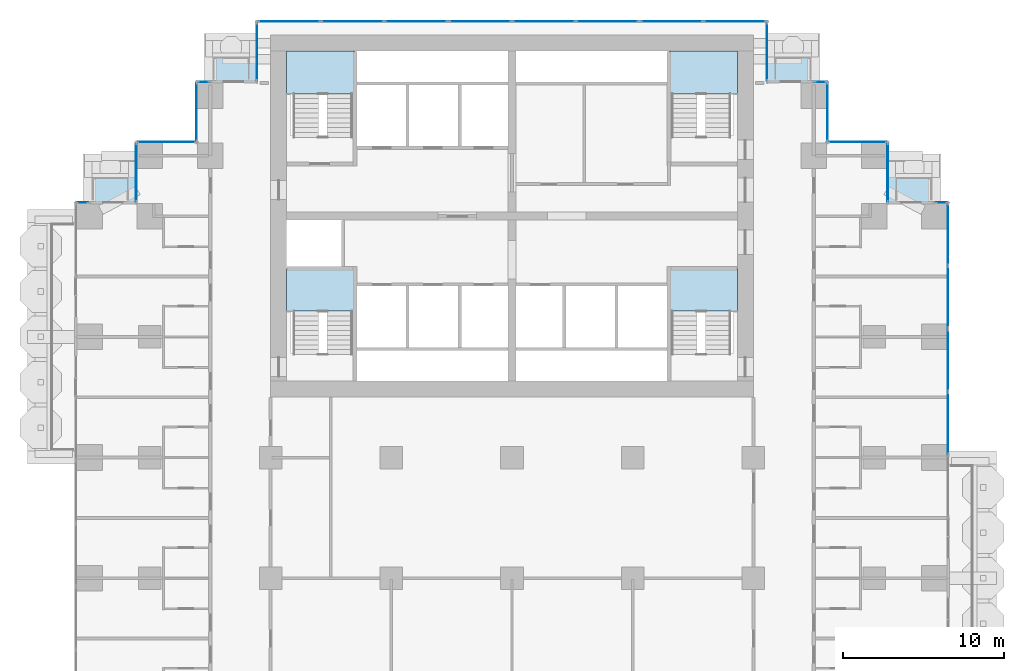
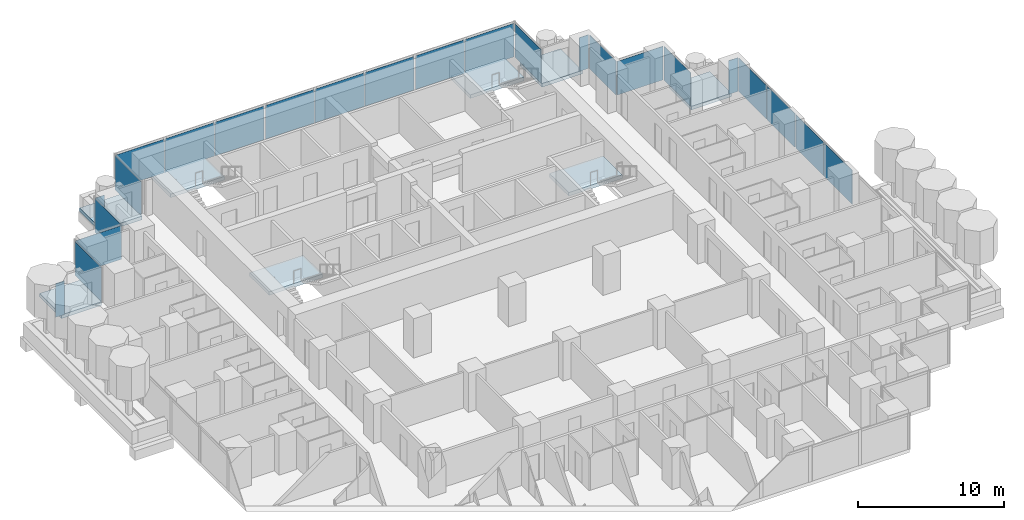
# One storey, part 8 of 18: 24 plates, 8 slabs, 21 elements without a shape of their own.
"""IFC4 building model written with IfcOpenShell, lengths in metres."""

from ifc_helpers import new_model, si_unit, direction, frame, origin, origin_2d, place, context, subcontext, project, spatial, polyline, rectangle, outline, extrude, material, layer, layer_set, type_object, element, aggregate, save


model = new_model("IFC4")

# Units and contexts
model_context = context("Model", 3, precision=1e-05, world=origin(), true_north=direction((0.0, 1.0)))
body_context = subcontext(model_context, "Body", "Model", "MODEL_VIEW")
ifc_project = project(units=[si_unit("LENGTHUNIT", "METRE"), si_unit("AREAUNIT", "SQUARE_METRE"), si_unit("VOLUMEUNIT", "CUBIC_METRE"), si_unit("PLANEANGLEUNIT", "RADIAN"), si_unit("MASSUNIT", "GRAM", prefix="KILO")], contexts=[model_context])

# Site, building, storey
site_placement = place(None, origin())
site = spatial("IfcSite", under=ifc_project, at=site_placement, CompositionType="ELEMENT")
building_placement = place(site_placement, origin())
building = spatial("IfcBuilding", under=site, at=building_placement, Name="Pilkhan Gate Tower", CompositionType="ELEMENT")
storey_placement = place(building_placement, frame((0.0, 0.0, 42.800048828125)))
storey = spatial("IfcBuildingStorey", under=building, at=storey_placement, Name="L07", CompositionType="ELEMENT", Elevation=42.800048828125)

# Slabs
ifc_material_1 = material(Name="Concrete C60/75", Category="concrete")
ifc_layer_1 = layer(ifc_material_1, 0.300048828125)
ifc_layer_set_1 = layer_set([ifc_layer_1], Name="Balcony tray slab TR300")
slab_type_1 = type_object("IfcSlabType", Name="Balcony tray slab TR300", PredefinedType="FLOOR", material=ifc_layer_set_1)
slab_1_placement = place(storey_placement, frame((0.0, 0.0, -0.300048828125)))
element("IfcSlab", 1, at=slab_1_placement, inside=storey, type_object=slab_type_1, Name="Balcony tray L07 N", PredefinedType="FLOOR", context=body_context, shape_type="SweptSolid", body=[
    extrude(outline(polyline([(59.14990234375, 90.85009765625), (59.14990234375, 93.85009765625), (55.949951171875, 93.85009765625), (55.949951171875, 90.85009765625), (59.14990234375, 90.85009765625)])), origin(), (0.0, 0.0, 1.0), 0.300048828125),
])
slab_2_placement = place(storey_placement, frame((0.0, 0.0, -0.300048828125)))
element("IfcSlab", 2, at=slab_2_placement, inside=storey, type_object=slab_type_1, Name="Balcony tray L07 N", PredefinedType="FLOOR", context=body_context, shape_type="SweptSolid", body=[
    extrude(outline(polyline([(94.050048828125, 90.85009765625), (94.050048828125, 93.85009765625), (90.85009765625, 93.85009765625), (90.85009765625, 90.85009765625), (94.050048828125, 90.85009765625)])), origin(), (0.0, 0.0, 1.0), 0.300048828125),
])
slab_3_placement = place(storey_placement, frame((0.0, 0.0, -0.300048828125)))
element("IfcSlab", 3, at=slab_3_placement, inside=storey, type_object=slab_type_1, Name="Balcony tray L07 N", PredefinedType="FLOOR", context=body_context, shape_type="SweptSolid", body=[
    extrude(outline(polyline([(51.6298828125, 83.3701171875), (51.6298828125, 86.35009765625), (48.449951171875, 86.35009765625), (48.449951171875, 83.3701171875), (51.6298828125, 83.3701171875)])), origin(), (0.0, 0.0, 1.0), 0.300048828125),
])
slab_4_placement = place(storey_placement, frame((0.0, 0.0, -0.300048828125)))
element("IfcSlab", 4, at=slab_4_placement, inside=storey, type_object=slab_type_1, Name="Balcony tray L07 N", PredefinedType="FLOOR", context=body_context, shape_type="SweptSolid", body=[
    extrude(outline(polyline([(101.550048828125, 83.3701171875), (101.550048828125, 86.35009765625), (98.3701171875, 86.35009765625), (98.3701171875, 83.3701171875), (101.550048828125, 83.3701171875)])), origin(), (0.0, 0.0, 1.0), 0.300048828125),
])

# Curtain wall, plates
ifc_material_2 = material(Name="Pale anodised aluminium, clear low-iron double glazing", Category="aluminium")
curtain_wall_type = type_object("IfcCurtainWallType", Name="Hotel unitised curtain wall CW-H", PredefinedType="USERDEFINED", material=ifc_material_2)
curtain_wall_1_placement = place(storey_placement, origin())
curtain_wall_1 = element("IfcCurtainWall", 5, at=curtain_wall_1_placement, inside=storey, type_object=curtain_wall_type, Name="Hotel unitised curtain wall CW-H L07 E", ObjectType="UNITISED CURTAIN WALL", PredefinedType="USERDEFINED")
ifc_material_3 = material(Name="Clear low-iron double glazing", Category="glass")
ifc_layer_2 = layer(ifc_material_3, 0.035888671875)
ifc_layer_set_2 = layer_set([ifc_layer_2], Name="Glass panel CW-H 36")
plate_type = type_object("IfcPlateType", Name="Glass panel CW-H 36", PredefinedType="CURTAIN_PANEL", material=ifc_layer_set_2)
plate_1_placement = place(storey_placement, frame((102.094970703125, 69.62841796875, 0.0), z_axis=(0.0, 0.0, 1.0), x_axis=(0.0, 1.0, 0.0)))
plate_1 = element("IfcPlate", 6, at=plate_1_placement, type_object=plate_type, Name="CW-H panel 2", PredefinedType="CURTAIN_PANEL", context=body_context, shape_type="SweptSolid", body=[
    extrude(rectangle(XDim=3.85400390625, YDim=0.035888671875, at=origin_2d()), origin(), (0.0, 0.0, 1.0), 2.820068359375),
])
plate_2_placement = place(storey_placement, frame((102.094970703125, 73.53125, 0.0), z_axis=(0.0, 0.0, 1.0), x_axis=(0.0, 1.0, 0.0)))
plate_2 = element("IfcPlate", 7, at=plate_2_placement, type_object=plate_type, Name="CW-H panel 3", PredefinedType="CURTAIN_PANEL", context=body_context, shape_type="SweptSolid", body=[
    extrude(rectangle(XDim=3.821533203125, YDim=0.035888671875, at=origin_2d()), origin(), (0.0, 0.0, 1.0), 2.820068359375),
])
aggregate(curtain_wall_1, [plate_1, plate_2])

curtain_wall_2_placement = place(storey_placement, origin())
curtain_wall_2 = element("IfcCurtainWall", 8, at=curtain_wall_2_placement, inside=storey, type_object=curtain_wall_type, Name="Hotel unitised curtain wall CW-H L07 E", ObjectType="UNITISED CURTAIN WALL", PredefinedType="USERDEFINED")
plate_3_placement = place(storey_placement, frame((102.094970703125, 77.482666015625, 0.0), z_axis=(0.0, 0.0, 1.0), x_axis=(0.0, 1.0, 0.0)))
plate_3 = element("IfcPlate", 9, at=plate_3_placement, type_object=plate_type, Name="CW-H panel 1", PredefinedType="CURTAIN_PANEL", context=body_context, shape_type="SweptSolid", body=[
    extrude(rectangle(XDim=3.821533203125, YDim=0.035888671875, at=origin_2d()), origin(), (0.0, 0.0, 1.0), 2.820068359375),
])
plate_4_placement = place(storey_placement, frame((102.094970703125, 81.369140625, 0.0), z_axis=(0.0, 0.0, 1.0), x_axis=(0.0, 1.0, 0.0)))
plate_4 = element("IfcPlate", 10, at=plate_4_placement, type_object=plate_type, Name="CW-H panel 2", PredefinedType="CURTAIN_PANEL", context=body_context, shape_type="SweptSolid", body=[
    extrude(rectangle(XDim=3.821533203125, YDim=0.035888671875, at=origin_2d()), origin(), (0.0, 0.0, 1.0), 2.820068359375),
])
aggregate(curtain_wall_2, [plate_3, plate_4])

# Curtain wall, plate
curtain_wall_3_placement = place(storey_placement, origin())
curtain_wall_3 = element("IfcCurtainWall", 11, at=curtain_wall_3_placement, inside=storey, type_object=curtain_wall_type, Name="Hotel unitised curtain wall CW-H L07 N", ObjectType="UNITISED CURTAIN WALL", PredefinedType="USERDEFINED")
plate_5_placement = place(storey_placement, frame((101.672607421875, 83.344970703125, 0.0), z_axis=(0.0, 0.0, 1.0), x_axis=(1.0, 0.0, 0.0)))
plate_5 = element("IfcPlate", 12, at=plate_5_placement, type_object=plate_type, Name="CW-H panel 1", PredefinedType="CURTAIN_PANEL", context=body_context, shape_type="SweptSolid", body=[
    extrude(rectangle(XDim=0.715087890625, YDim=0.035888671875, at=origin_2d()), origin(), (0.0, 0.0, 1.0), 2.820068359375),
])
aggregate(curtain_wall_3, [plate_5])

curtain_wall_4_placement = place(storey_placement, origin())
curtain_wall_4 = element("IfcCurtainWall", 13, at=curtain_wall_4_placement, inside=storey, type_object=curtain_wall_type, Name="Hotel unitised curtain wall CW-H L07 E", ObjectType="UNITISED CURTAIN WALL", PredefinedType="USERDEFINED")
plate_6_placement = place(storey_placement, frame((98.344970703125, 85.219970703125, 0.0), z_axis=(0.0, 0.0, 1.0), x_axis=(0.0, 1.0, 0.0)))
plate_6 = element("IfcPlate", 14, at=plate_6_placement, type_object=plate_type, Name="CW-H panel 1", PredefinedType="CURTAIN_PANEL", context=body_context, shape_type="SweptSolid", body=[
    extrude(rectangle(XDim=3.6201171875, YDim=0.035888671875, at=origin_2d()), origin(), (0.0, 0.0, 1.0), 2.820068359375),
])
aggregate(curtain_wall_4, [plate_6])

curtain_wall_5_placement = place(storey_placement, origin())
curtain_wall_5 = element("IfcCurtainWall", 15, at=curtain_wall_5_placement, inside=storey, type_object=curtain_wall_type, Name="Hotel unitised curtain wall CW-H L07 N", ObjectType="UNITISED CURTAIN WALL", PredefinedType="USERDEFINED")
plate_7_placement = place(storey_placement, frame((96.469970703125, 87.094970703125, 0.0), z_axis=(0.0, 0.0, 1.0), x_axis=(1.0, 0.0, 0.0)))
plate_7 = element("IfcPlate", 16, at=plate_7_placement, type_object=plate_type, Name="CW-H panel 1", PredefinedType="CURTAIN_PANEL", context=body_context, shape_type="SweptSolid", body=[
    extrude(rectangle(XDim=3.6201171875, YDim=0.035888671875, at=origin_2d()), origin(), (0.0, 0.0, 1.0), 2.820068359375),
])
aggregate(curtain_wall_5, [plate_7])

curtain_wall_6_placement = place(storey_placement, origin())
curtain_wall_6 = element("IfcCurtainWall", 17, at=curtain_wall_6_placement, inside=storey, type_object=curtain_wall_type, Name="Hotel unitised curtain wall CW-H L07 E", ObjectType="UNITISED CURTAIN WALL", PredefinedType="USERDEFINED")
plate_8_placement = place(storey_placement, frame((94.594970703125, 88.969970703125, 0.0), z_axis=(0.0, 0.0, 1.0), x_axis=(0.0, 1.0, 0.0)))
plate_8 = element("IfcPlate", 18, at=plate_8_placement, type_object=plate_type, Name="CW-H panel 1", PredefinedType="CURTAIN_PANEL", context=body_context, shape_type="SweptSolid", body=[
    extrude(rectangle(XDim=3.6201171875, YDim=0.035888671875, at=origin_2d()), origin(), (0.0, 0.0, 1.0), 2.820068359375),
])
aggregate(curtain_wall_6, [plate_8])

curtain_wall_7_placement = place(storey_placement, origin())
curtain_wall_7 = element("IfcCurtainWall", 19, at=curtain_wall_7_placement, inside=storey, type_object=curtain_wall_type, Name="Hotel unitised curtain wall CW-H L07 N", ObjectType="UNITISED CURTAIN WALL", PredefinedType="USERDEFINED")
plate_9_placement = place(storey_placement, frame((94.172607421875, 90.844970703125, 0.0), z_axis=(0.0, 0.0, 1.0), x_axis=(1.0, 0.0, 0.0)))
plate_9 = element("IfcPlate", 20, at=plate_9_placement, type_object=plate_type, Name="CW-H panel 1", PredefinedType="CURTAIN_PANEL", context=body_context, shape_type="SweptSolid", body=[
    extrude(rectangle(XDim=0.715087890625, YDim=0.035888671875, at=origin_2d()), origin(), (0.0, 0.0, 1.0), 2.820068359375),
])
aggregate(curtain_wall_7, [plate_9])

curtain_wall_8_placement = place(storey_placement, origin())
curtain_wall_8 = element("IfcCurtainWall", 21, at=curtain_wall_8_placement, inside=storey, type_object=curtain_wall_type, Name="Hotel unitised curtain wall CW-H L07 E", ObjectType="UNITISED CURTAIN WALL", PredefinedType="USERDEFINED")
plate_10_placement = place(storey_placement, frame((90.844970703125, 92.719970703125, 0.0), z_axis=(0.0, 0.0, 1.0), x_axis=(0.0, 1.0, 0.0)))
plate_10 = element("IfcPlate", 22, at=plate_10_placement, type_object=plate_type, Name="CW-H panel 1", PredefinedType="CURTAIN_PANEL", context=body_context, shape_type="SweptSolid", body=[
    extrude(rectangle(XDim=3.6201171875, YDim=0.035888671875, at=origin_2d()), origin(), (0.0, 0.0, 1.0), 2.820068359375),
])
aggregate(curtain_wall_8, [plate_10])

# Curtain wall, plates
curtain_wall_9_placement = place(storey_placement, origin())
curtain_wall_9 = element("IfcCurtainWall", 23, at=curtain_wall_9_placement, inside=storey, type_object=curtain_wall_type, Name="Hotel unitised curtain wall CW-H L07 N", ObjectType="UNITISED CURTAIN WALL", PredefinedType="USERDEFINED")
plate_11_placement = place(storey_placement, frame((61.15185546875, 94.594970703125, 0.0), z_axis=(0.0, 0.0, 1.0), x_axis=(1.0, 0.0, 0.0)))
plate_11 = element("IfcPlate", 24, at=plate_11_placement, type_object=plate_type, Name="CW-H panel 1", PredefinedType="CURTAIN_PANEL", context=body_context, shape_type="SweptSolid", body=[
    extrude(rectangle(XDim=3.86376953125, YDim=0.035888671875, at=origin_2d()), origin(), (0.0, 0.0, 1.0), 2.820068359375),
])
plate_12_placement = place(storey_placement, frame((65.096923828125, 94.594970703125, 0.0), z_axis=(0.0, 0.0, 1.0), x_axis=(1.0, 0.0, 0.0)))
plate_12 = element("IfcPlate", 25, at=plate_12_placement, type_object=plate_type, Name="CW-H panel 2", PredefinedType="CURTAIN_PANEL", context=body_context, shape_type="SweptSolid", body=[
    extrude(rectangle(XDim=3.896240234375, YDim=0.035888671875, at=origin_2d()), origin(), (0.0, 0.0, 1.0), 2.820068359375),
])
plate_13_placement = place(storey_placement, frame((69.0419921875, 94.594970703125, 0.0), z_axis=(0.0, 0.0, 1.0), x_axis=(1.0, 0.0, 0.0)))
plate_13 = element("IfcPlate", 26, at=plate_13_placement, type_object=plate_type, Name="CW-H panel 3", PredefinedType="CURTAIN_PANEL", context=body_context, shape_type="SweptSolid", body=[
    extrude(rectangle(XDim=3.86376953125, YDim=0.035888671875, at=origin_2d()), origin(), (0.0, 0.0, 1.0), 2.820068359375),
])
aggregate(curtain_wall_9, [plate_11, plate_12, plate_13])

curtain_wall_10_placement = place(storey_placement, origin())
curtain_wall_10 = element("IfcCurtainWall", 27, at=curtain_wall_10_placement, inside=storey, type_object=curtain_wall_type, Name="Hotel unitised curtain wall CW-H L07 N", ObjectType="UNITISED CURTAIN WALL", PredefinedType="USERDEFINED")
plate_14_placement = place(storey_placement, frame((73.03564453125, 94.594970703125, 0.0), z_axis=(0.0, 0.0, 1.0), x_axis=(1.0, 0.0, 0.0)))
plate_14 = element("IfcPlate", 28, at=plate_14_placement, type_object=plate_type, Name="CW-H panel 1", PredefinedType="CURTAIN_PANEL", context=body_context, shape_type="SweptSolid", body=[
    extrude(rectangle(XDim=3.86376953125, YDim=0.035888671875, at=origin_2d()), origin(), (0.0, 0.0, 1.0), 2.820068359375),
])
plate_15_placement = place(storey_placement, frame((76.980712890625, 94.594970703125, 0.0), z_axis=(0.0, 0.0, 1.0), x_axis=(1.0, 0.0, 0.0)))
plate_15 = element("IfcPlate", 29, at=plate_15_placement, type_object=plate_type, Name="CW-H panel 2", PredefinedType="CURTAIN_PANEL", context=body_context, shape_type="SweptSolid", body=[
    extrude(rectangle(XDim=3.896240234375, YDim=0.035888671875, at=origin_2d()), origin(), (0.0, 0.0, 1.0), 2.820068359375),
])
plate_16_placement = place(storey_placement, frame((80.925537109375, 94.594970703125, 0.0), z_axis=(0.0, 0.0, 1.0), x_axis=(1.0, 0.0, 0.0)))
plate_16 = element("IfcPlate", 30, at=plate_16_placement, type_object=plate_type, Name="CW-H panel 3", PredefinedType="CURTAIN_PANEL", context=body_context, shape_type="SweptSolid", body=[
    extrude(rectangle(XDim=3.86376953125, YDim=0.035888671875, at=origin_2d()), origin(), (0.0, 0.0, 1.0), 2.820068359375),
])
aggregate(curtain_wall_10, [plate_14, plate_15, plate_16])

curtain_wall_11_placement = place(storey_placement, origin())
curtain_wall_11 = element("IfcCurtainWall", 31, at=curtain_wall_11_placement, inside=storey, type_object=curtain_wall_type, Name="Hotel unitised curtain wall CW-H L07 N", ObjectType="UNITISED CURTAIN WALL", PredefinedType="USERDEFINED")
plate_17_placement = place(storey_placement, frame((84.91943359375, 94.594970703125, 0.0), z_axis=(0.0, 0.0, 1.0), x_axis=(1.0, 0.0, 0.0)))
plate_17 = element("IfcPlate", 32, at=plate_17_placement, type_object=plate_type, Name="CW-H panel 1", PredefinedType="CURTAIN_PANEL", context=body_context, shape_type="SweptSolid", body=[
    extrude(rectangle(XDim=3.86376953125, YDim=0.035888671875, at=origin_2d()), origin(), (0.0, 0.0, 1.0), 2.820068359375),
])
plate_18_placement = place(storey_placement, frame((88.84814453125, 94.594970703125, 0.0), z_axis=(0.0, 0.0, 1.0), x_axis=(1.0, 0.0, 0.0)))
plate_18 = element("IfcPlate", 33, at=plate_18_placement, type_object=plate_type, Name="CW-H panel 2", PredefinedType="CURTAIN_PANEL", context=body_context, shape_type="SweptSolid", body=[
    extrude(rectangle(XDim=3.86376953125, YDim=0.035888671875, at=origin_2d()), origin(), (0.0, 0.0, 1.0), 2.820068359375),
])
aggregate(curtain_wall_11, [plate_17, plate_18])

# Curtain wall, plate
curtain_wall_12_placement = place(storey_placement, origin())
curtain_wall_12 = element("IfcCurtainWall", 34, at=curtain_wall_12_placement, inside=storey, type_object=curtain_wall_type, Name="Hotel unitised curtain wall CW-H L07 W", ObjectType="UNITISED CURTAIN WALL", PredefinedType="USERDEFINED")
plate_19_placement = place(storey_placement, frame((59.155029296875, 92.719970703125, 0.0), z_axis=(0.0, 0.0, 1.0), x_axis=(0.0, 1.0, 0.0)))
plate_19 = element("IfcPlate", 35, at=plate_19_placement, type_object=plate_type, Name="CW-H panel 1", PredefinedType="CURTAIN_PANEL", context=body_context, shape_type="SweptSolid", body=[
    extrude(rectangle(XDim=3.6201171875, YDim=0.035888671875, at=origin_2d()), origin(), (0.0, 0.0, 1.0), 2.820068359375),
])
aggregate(curtain_wall_12, [plate_19])

curtain_wall_13_placement = place(storey_placement, origin())
curtain_wall_13 = element("IfcCurtainWall", 36, at=curtain_wall_13_placement, inside=storey, type_object=curtain_wall_type, Name="Hotel unitised curtain wall CW-H L07 N", ObjectType="UNITISED CURTAIN WALL", PredefinedType="USERDEFINED")
plate_20_placement = place(storey_placement, frame((55.827392578125, 90.844970703125, 0.0), z_axis=(0.0, 0.0, 1.0), x_axis=(1.0, 0.0, 0.0)))
plate_20 = element("IfcPlate", 37, at=plate_20_placement, type_object=plate_type, Name="CW-H panel 1", PredefinedType="CURTAIN_PANEL", context=body_context, shape_type="SweptSolid", body=[
    extrude(rectangle(XDim=0.715087890625, YDim=0.035888671875, at=origin_2d()), origin(), (0.0, 0.0, 1.0), 2.820068359375),
])
aggregate(curtain_wall_13, [plate_20])

curtain_wall_14_placement = place(storey_placement, origin())
curtain_wall_14 = element("IfcCurtainWall", 38, at=curtain_wall_14_placement, inside=storey, type_object=curtain_wall_type, Name="Hotel unitised curtain wall CW-H L07 W", ObjectType="UNITISED CURTAIN WALL", PredefinedType="USERDEFINED")
plate_21_placement = place(storey_placement, frame((55.405029296875, 88.969970703125, 0.0), z_axis=(0.0, 0.0, 1.0), x_axis=(0.0, 1.0, 0.0)))
plate_21 = element("IfcPlate", 39, at=plate_21_placement, type_object=plate_type, Name="CW-H panel 1", PredefinedType="CURTAIN_PANEL", context=body_context, shape_type="SweptSolid", body=[
    extrude(rectangle(XDim=3.6201171875, YDim=0.035888671875, at=origin_2d()), origin(), (0.0, 0.0, 1.0), 2.820068359375),
])
aggregate(curtain_wall_14, [plate_21])

curtain_wall_15_placement = place(storey_placement, origin())
curtain_wall_15 = element("IfcCurtainWall", 40, at=curtain_wall_15_placement, inside=storey, type_object=curtain_wall_type, Name="Hotel unitised curtain wall CW-H L07 N", ObjectType="UNITISED CURTAIN WALL", PredefinedType="USERDEFINED")
plate_22_placement = place(storey_placement, frame((53.530029296875, 87.094970703125, 0.0), z_axis=(0.0, 0.0, 1.0), x_axis=(1.0, 0.0, 0.0)))
plate_22 = element("IfcPlate", 41, at=plate_22_placement, type_object=plate_type, Name="CW-H panel 1", PredefinedType="CURTAIN_PANEL", context=body_context, shape_type="SweptSolid", body=[
    extrude(rectangle(XDim=3.6201171875, YDim=0.035888671875, at=origin_2d()), origin(), (0.0, 0.0, 1.0), 2.820068359375),
])
aggregate(curtain_wall_15, [plate_22])

curtain_wall_16_placement = place(storey_placement, origin())
curtain_wall_16 = element("IfcCurtainWall", 42, at=curtain_wall_16_placement, inside=storey, type_object=curtain_wall_type, Name="Hotel unitised curtain wall CW-H L07 W", ObjectType="UNITISED CURTAIN WALL", PredefinedType="USERDEFINED")
plate_23_placement = place(storey_placement, frame((51.655029296875, 85.219970703125, 0.0), z_axis=(0.0, 0.0, 1.0), x_axis=(0.0, 1.0, 0.0)))
plate_23 = element("IfcPlate", 43, at=plate_23_placement, type_object=plate_type, Name="CW-H panel 1", PredefinedType="CURTAIN_PANEL", context=body_context, shape_type="SweptSolid", body=[
    extrude(rectangle(XDim=3.6201171875, YDim=0.035888671875, at=origin_2d()), origin(), (0.0, 0.0, 1.0), 2.820068359375),
])
aggregate(curtain_wall_16, [plate_23])

curtain_wall_17_placement = place(storey_placement, origin())
curtain_wall_17 = element("IfcCurtainWall", 44, at=curtain_wall_17_placement, inside=storey, type_object=curtain_wall_type, Name="Hotel unitised curtain wall CW-H L07 N", ObjectType="UNITISED CURTAIN WALL", PredefinedType="USERDEFINED")
plate_24_placement = place(storey_placement, frame((48.327392578125, 83.344970703125, 0.0), z_axis=(0.0, 0.0, 1.0), x_axis=(1.0, 0.0, 0.0)))
plate_24 = element("IfcPlate", 45, at=plate_24_placement, type_object=plate_type, Name="CW-H panel 1", PredefinedType="CURTAIN_PANEL", context=body_context, shape_type="SweptSolid", body=[
    extrude(rectangle(XDim=0.715087890625, YDim=0.035888671875, at=origin_2d()), origin(), (0.0, 0.0, 1.0), 2.820068359375),
])
aggregate(curtain_wall_17, [plate_24])

# Stair, slab
ifc_material_4 = material(Name="Concrete C40/50 precast", Category="concrete")
stair_type_1 = type_object("IfcStairType", Name="Stair ST1 165x300", PredefinedType="HALF_TURN_STAIR", material=ifc_material_4)
stair_1_placement = place(storey_placement, origin())
stair_1 = element("IfcStair", 46, at=stair_1_placement, inside=storey, type_object=stair_type_1, Name="Stair ST1 L07", PredefinedType="HALF_TURN_STAIR")
ifc_material_5 = material(Name="Concrete C40/50", Category="concrete")
ifc_layer_3 = layer(ifc_material_5, 0.199951171875)
ifc_layer_set_3 = layer_set([ifc_layer_3], Name="Stair landing SL200")
slab_type_2 = type_object("IfcSlabType", Name="Stair landing SL200", PredefinedType="LANDING", material=ifc_layer_set_3)
slab_5_placement = place(storey_placement, frame((0.0, 0.0, 1.349853515625)))
slab_5 = element("IfcSlab", 47, at=slab_5_placement, type_object=slab_type_2, Name="ST1 landing 1", PredefinedType="LANDING", context=body_context, shape_type="SweptSolid", body=[
    extrude(outline(polyline([(89.0, 76.60009765625), (89.0, 79.25), (84.75, 79.25), (84.75, 76.60009765625), (89.0, 76.60009765625)])), origin(), (0.0, 0.0, 1.0), 0.300048828125),
])
aggregate(stair_1, [slab_5])

stair_type_2 = type_object("IfcStairType", Name="Stair ST2 165x300", PredefinedType="HALF_TURN_STAIR", material=ifc_material_4)
stair_2_placement = place(storey_placement, origin())
stair_2 = element("IfcStair", 48, at=stair_2_placement, inside=storey, type_object=stair_type_2, Name="Stair ST2 L07", PredefinedType="HALF_TURN_STAIR")
slab_6_placement = place(storey_placement, frame((0.0, 0.0, 1.349853515625)))
slab_6 = element("IfcSlab", 49, at=slab_6_placement, type_object=slab_type_2, Name="ST2 landing 1", PredefinedType="LANDING", context=body_context, shape_type="SweptSolid", body=[
    extrude(outline(polyline([(65.25, 76.60009765625), (65.25, 79.25), (61.0, 79.25), (61.0, 76.60009765625), (65.25, 76.60009765625)])), origin(), (0.0, 0.0, 1.0), 0.300048828125),
])
aggregate(stair_2, [slab_6])

stair_type_3 = type_object("IfcStairType", Name="Stair ST3 165x300", PredefinedType="HALF_TURN_STAIR", material=ifc_material_4)
stair_3_placement = place(storey_placement, origin())
stair_3 = element("IfcStair", 50, at=stair_3_placement, inside=storey, type_object=stair_type_3, Name="Stair ST3 L07", PredefinedType="HALF_TURN_STAIR")
slab_7_placement = place(storey_placement, frame((0.0, 0.0, 1.349853515625)))
slab_7 = element("IfcSlab", 51, at=slab_7_placement, type_object=slab_type_2, Name="ST3 landing 1", PredefinedType="LANDING", context=body_context, shape_type="SweptSolid", body=[
    extrude(outline(polyline([(65.25, 90.10009765625), (65.25, 92.75), (61.0, 92.75), (61.0, 90.10009765625), (65.25, 90.10009765625)])), origin(), (0.0, 0.0, 1.0), 0.300048828125),
])
aggregate(stair_3, [slab_7])

stair_type_4 = type_object("IfcStairType", Name="Stair ST4 165x300", PredefinedType="HALF_TURN_STAIR", material=ifc_material_4)
stair_4_placement = place(storey_placement, origin())
stair_4 = element("IfcStair", 52, at=stair_4_placement, inside=storey, type_object=stair_type_4, Name="Stair ST4 L07", PredefinedType="HALF_TURN_STAIR")
slab_8_placement = place(storey_placement, frame((0.0, 0.0, 1.349853515625)))
slab_8 = element("IfcSlab", 53, at=slab_8_placement, type_object=slab_type_2, Name="ST4 landing 1", PredefinedType="LANDING", context=body_context, shape_type="SweptSolid", body=[
    extrude(outline(polyline([(89.0, 90.10009765625), (89.0, 92.75), (84.75, 92.75), (84.75, 90.10009765625), (89.0, 90.10009765625)])), origin(), (0.0, 0.0, 1.0), 0.300048828125),
])
aggregate(stair_4, [slab_8])

save(model, "model.ifc")
